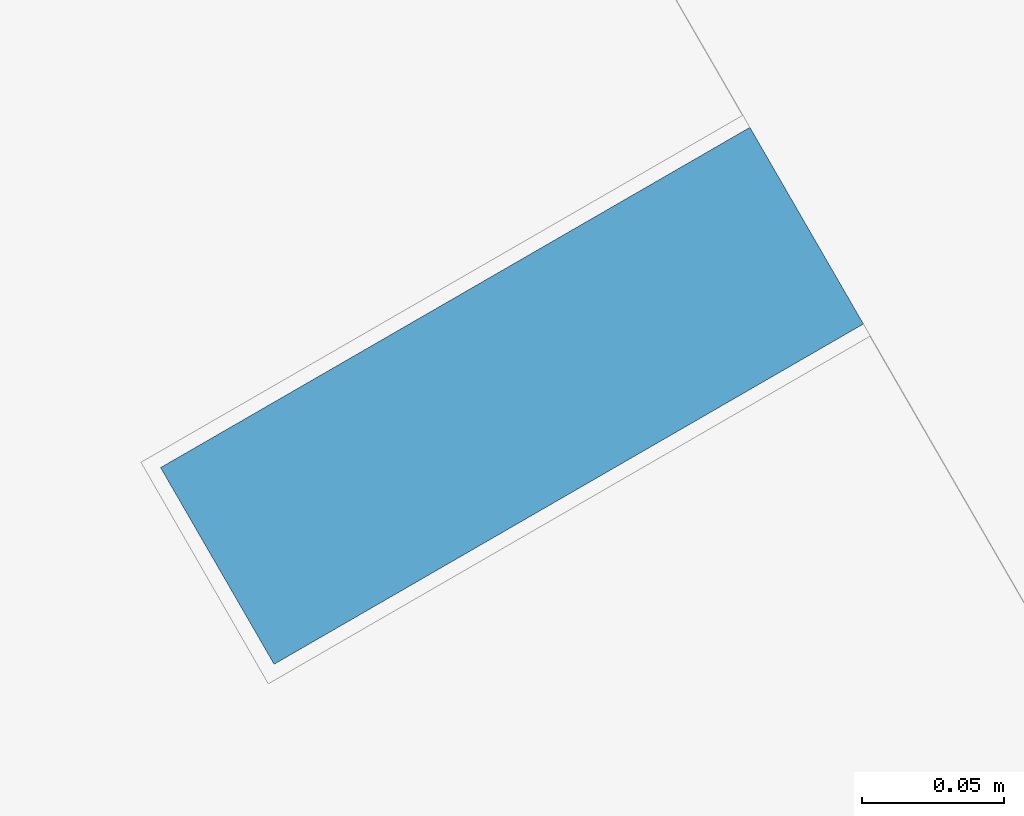
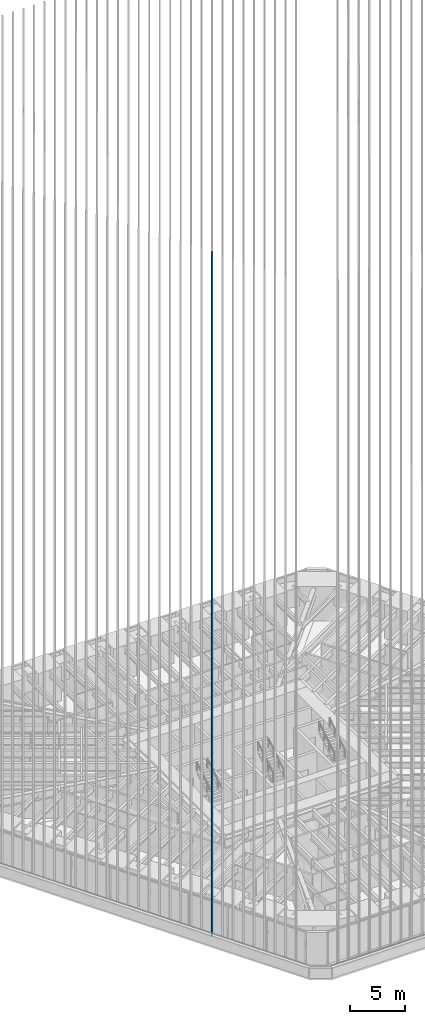
# One storey, part 2 of 238: 1 member, 1 element without a shape of its own.
"""IFC4 building model written with IfcOpenShell, lengths in metres."""

from ifc_helpers import new_model, si_unit, direction, frame, origin, origin_2d, place, context, subcontext, project, spatial, rectangle, extrude, material, material_profile, profile_set, type_object, element, aggregate, save


model = new_model("IFC4")

# Units and contexts
model_context = context("Model", 3, precision=1e-05, world=origin(), true_north=direction((0.0, 1.0)))
body_context = subcontext(model_context, "Body", "Model", "MODEL_VIEW")
ifc_project = project(units=[si_unit("LENGTHUNIT", "METRE"), si_unit("AREAUNIT", "SQUARE_METRE"), si_unit("VOLUMEUNIT", "CUBIC_METRE"), si_unit("PLANEANGLEUNIT", "RADIAN"), si_unit("MASSUNIT", "GRAM", prefix="KILO")], contexts=[model_context])

# Site, building, storey
site_placement = place(None, origin())
site = spatial("IfcSite", under=ifc_project, at=site_placement, CompositionType="ELEMENT")
building_placement = place(site_placement, origin())
building = spatial("IfcBuilding", under=site, at=building_placement, Name="Sandreach Pilgrim Tower", CompositionType="ELEMENT")
storey_placement = place(building_placement, frame((0.0, 0.0, 96.800048828125)))
storey = spatial("IfcBuildingStorey", under=building, at=storey_placement, Name="L23", CompositionType="ELEMENT", Elevation=96.800048828125)

# Curtain wall, member
ifc_material_1 = material(Name="Aluminium framed curtain wall", Category="aluminium")
curtain_wall_type = type_object("IfcCurtainWallType", Name="Hotel tower curtain wall", PredefinedType="NOTDEFINED", material=ifc_material_1)
curtain_wall_placement = place(storey_placement, origin())
curtain_wall = element("IfcCurtainWall", 1, at=curtain_wall_placement, inside=storey, type_object=curtain_wall_type, Name="CW-2 L23 SW", PredefinedType="NOTDEFINED")
ifc_material_2 = material(Name="Extruded terracotta on aluminium core", Category="masonry")
ifc_material_profile = material_profile(ifc_material_2, rectangle(XDim=0.080078125, YDim=0.239990234375, at=origin_2d()), Name="TBW 80X240")
ifc_profile_set = profile_set([ifc_material_profile], Name="Extruded terracotta on aluminium core")
member_type = type_object("IfcMemberType", Name="Terracotta baguette west", PredefinedType="USERDEFINED", material=ifc_profile_set)
member_placement = place(storey_placement, frame((-15.438232421875, -19.087646484375, 0.0), z_axis=(0.0, 0.0, 1.0), x_axis=(-0.5, 0.866025403784, 0.0)))
member = element("IfcMember", 2, at=member_placement, type_object=member_type, Name="Baguette Z2 SW09", ObjectType="BAGUETTE", PredefinedType="USERDEFINED", context=body_context, shape_type="SweptSolid", body=[
    extrude(rectangle(XDim=0.080078125, YDim=0.239990234375, at=origin_2d()), origin(), (0.0, 0.0, 1.0), 75.83984375),
])
aggregate(curtain_wall, [member])

save(model, "model.ifc")
